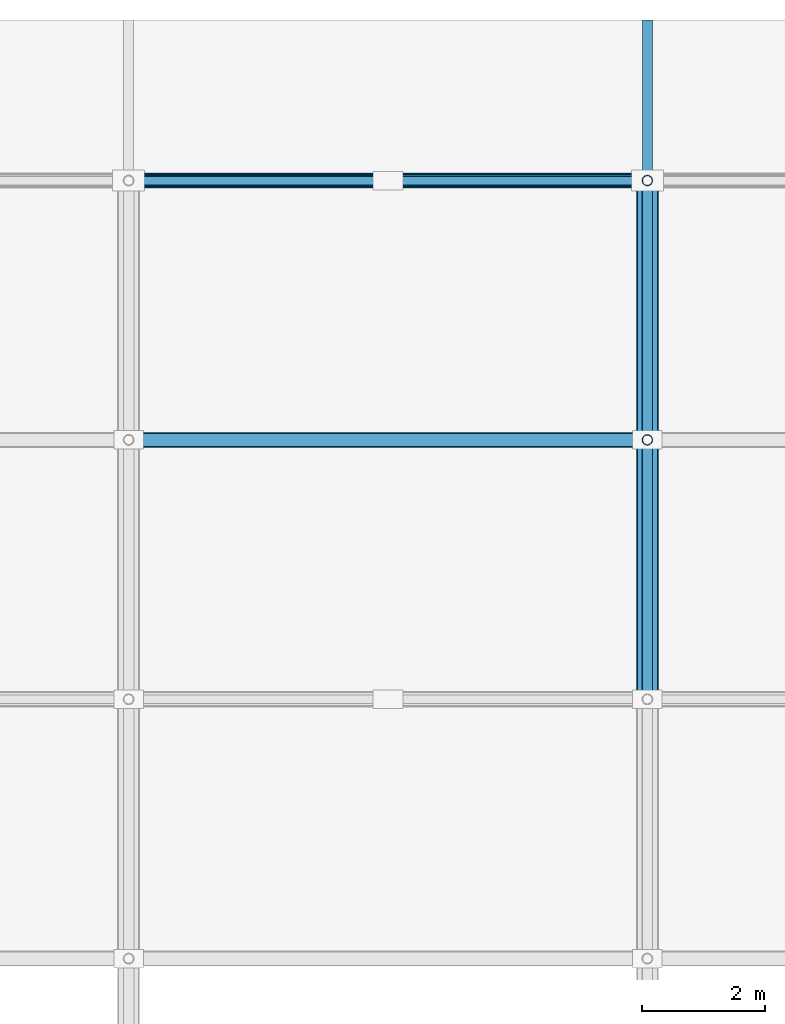
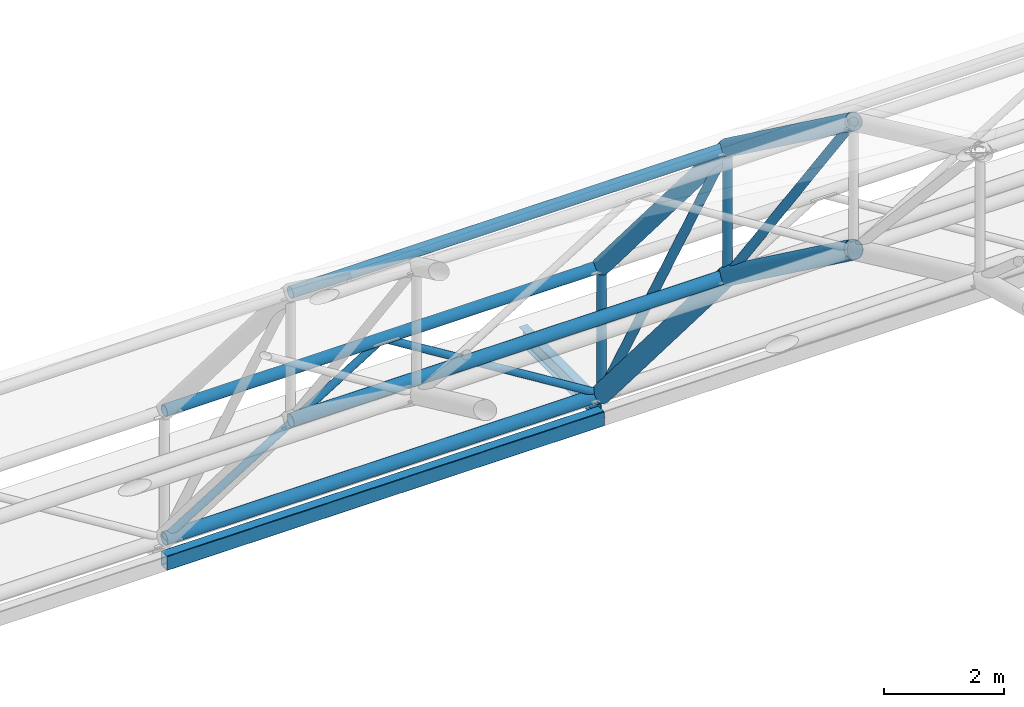
# One storey, part 50 of 103: 10 members, 6 beams.
"""IFC4 building model written with IfcOpenShell, lengths in metres."""

from ifc_helpers import new_model, si_unit, direction, frame, origin, origin_2d, place, context, subcontext, project, spatial, hollow_rectangle, hollow_circle, i_section, extrude, material, material_profile, profile_set, type_object, element, save


model = new_model("IFC4")

# Units and contexts
model_context = context("Model", 3, precision=1e-05, world=origin(), true_north=direction((0.0, 1.0)))
body_context = subcontext(model_context, "Body", "Model", "MODEL_VIEW")
ifc_project = project(units=[si_unit("LENGTHUNIT", "METRE"), si_unit("AREAUNIT", "SQUARE_METRE"), si_unit("VOLUMEUNIT", "CUBIC_METRE"), si_unit("PLANEANGLEUNIT", "RADIAN"), si_unit("MASSUNIT", "GRAM", prefix="KILO")], contexts=[model_context])

# Site, building, storey
site_placement = place(None, origin())
site = spatial("IfcSite", under=ifc_project, at=site_placement, CompositionType="ELEMENT")
building_placement = place(site_placement, origin())
building = spatial("IfcBuilding", under=site, at=building_placement, Name="Varnapada Polytechnic", CompositionType="ELEMENT")
storey_placement = place(building_placement, frame((0.0, 0.0, 18.0)))
storey = spatial("IfcBuildingStorey", under=building, at=storey_placement, Name="L04", CompositionType="ELEMENT", Elevation=18.0)

# Beam
ifc_material = material(Name="Steel S355", Category="steel")
ifc_material_profile_1 = material_profile(ifc_material, i_section(OverallWidth=0.159912109375, OverallDepth=0.330078125, WebThickness=0.007568359375, FlangeThickness=0.011474609375, FilletRadius=0.01806640625, at=origin_2d()), Name="IPE 330")
ifc_profile_set_1 = profile_set([ifc_material_profile_1], Name="Steel S355")
beam_type_1 = type_object("IfcBeamType", Name="Clerestory monitor steel rafter SB-07 (IPE 330)", PredefinedType="BEAM", material=ifc_profile_set_1)
beam_1_placement = place(storey_placement, frame((117.60009765625, 126.0, -0.35009765625), z_axis=(0.0, 1.0, 0.0), x_axis=(-1.0, 0.0, 0.0)))
element("IfcBeam", 1, at=beam_1_placement, inside=storey, type_object=beam_type_1, Name="Workshop eave shade outlooker N.9", PredefinedType="BEAM", context=body_context, shape_type="SweptSolid", body=[
    extrude(i_section(OverallWidth=0.159912109375, OverallDepth=0.330078125, WebThickness=0.007568359375, FlangeThickness=0.011474609375, FilletRadius=0.01806640625, at=origin_2d()), origin(), (0.0, 0.0, 1.0), 2.60009765625),
])

# Members
ifc_material_profile_2 = material_profile(ifc_material, hollow_circle(Radius=0.122314453125, WallThickness=0.008056640625, at=origin_2d()), Name="CHS 244.5x8.0")
ifc_profile_set_2 = profile_set([ifc_material_profile_2], Name="Steel S355")
member_type_1 = type_object("IfcMemberType", Name="Vaulted space frame longitudinal bottom chord SFC-01 (CHS 244.5x8.0)", PredefinedType="CHORD", material=ifc_profile_set_2)
for number, where, z_axis, x_axis, name in (
    (2, (109.199951171875, 121.800048828125, 4.94921875), (1.0, 0.0, 0.0), (0.0, 1.0, 0.0), "Vaulted space frame longitudinal bottom chord 8.10"),
    (3, (109.199951171875, 126.0, 0.0), (1.0, 0.0, 0.0), (0.0, 1.0, 0.0), "Vaulted space frame longitudinal bottom chord 8.11"),
):
    element("IfcMember", number, at=place(storey_placement, frame(where, z_axis=z_axis, x_axis=x_axis)), inside=storey, type_object=member_type_1, Name=name, PredefinedType="CHORD", context=body_context, shape_type="SweptSolid", body=[
        extrude(hollow_circle(Radius=0.122314453125, WallThickness=0.008056640625, at=origin_2d()), origin(), (0.0, 0.0, 1.0), 8.400146484375),
    ])
ifc_material_profile_3 = material_profile(ifc_material, hollow_circle(Radius=0.109619140625, WallThickness=0.008056640625, at=origin_2d()), Name="CHS 219.1x8.0")
ifc_profile_set_3 = profile_set([ifc_material_profile_3], Name="Steel S355")
member_type_2 = type_object("IfcMemberType", Name="Vaulted space frame longitudinal top chord SFC-02 (CHS 219.1x8.0)", PredefinedType="CHORD", material=ifc_profile_set_3)
for number, where, z_axis, x_axis, name in (
    (4, (109.199951171875, 121.800048828125, 7.549072265625), (1.0, 0.0, 0.0), (0.0, 1.0, 0.0), "Vaulted space frame longitudinal top chord 8.10"),
    (5, (109.199951171875, 126.0, 2.60009765625), (1.0, 0.0, 0.0), (0.0, 1.0, 0.0), "Vaulted space frame longitudinal top chord 8.11"),
):
    element("IfcMember", number, at=place(storey_placement, frame(where, z_axis=z_axis, x_axis=x_axis)), inside=storey, type_object=member_type_2, Name=name, PredefinedType="CHORD", context=body_context, shape_type="SweptSolid", body=[
        extrude(hollow_circle(Radius=0.109619140625, WallThickness=0.008056640625, at=origin_2d()), origin(), (0.0, 0.0, 1.0), 8.400146484375),
    ])

# Beams
ifc_material_profile_4 = material_profile(ifc_material, hollow_circle(Radius=0.177734375, WallThickness=0.012451171875, at=origin_2d()), Name="CHS 355.6x12.5")
ifc_profile_set_4 = profile_set([ifc_material_profile_4], Name="Steel S355")
beam_type_2 = type_object("IfcBeamType", Name="Vaulted space frame primary arch rib VA-01 (CHS 355.6x12.5)", PredefinedType="BEAM", material=ifc_profile_set_4)
beam_2_placement = place(storey_placement, frame((117.60009765625, 117.60009765625, 8.02783203125), z_axis=(0.0, 0.806528689778, -0.591194953095), x_axis=(-1.0, 0.0, 0.0)))
element("IfcBeam", 6, at=beam_2_placement, inside=storey, type_object=beam_type_2, Name="Vaulted space frame bottom arch chord 9.9", PredefinedType="BEAM", context=body_context, shape_type="SweptSolid", body=[
    extrude(hollow_circle(Radius=0.177734375, WallThickness=0.012451171875, at=origin_2d()), origin(), (0.0, 0.0, 1.0), 5.20751953125),
])
beam_3_placement = place(storey_placement, frame((117.60009765625, 121.800048828125, 4.94921875), z_axis=(0.0, 0.647032448214, -0.762462465279), x_axis=(-1.0, 0.0, 0.0)))
element("IfcBeam", 7, at=beam_3_placement, inside=storey, type_object=beam_type_2, Name="Vaulted space frame bottom arch chord 9.10", PredefinedType="BEAM", context=body_context, shape_type="SweptSolid", body=[
    extrude(hollow_circle(Radius=0.177734375, WallThickness=0.012451171875, at=origin_2d()), origin(), (0.0, 0.0, 1.0), 6.4912109375),
])

# Members
ifc_material_profile_5 = material_profile(ifc_material, hollow_circle(Radius=0.084228515625, WallThickness=0.00634765625, at=origin_2d()), Name="CHS 168.3x6.3")
ifc_profile_set_5 = profile_set([ifc_material_profile_5], Name="Steel S355")
member_type_3 = type_object("IfcMemberType", Name="Vaulted space frame primary web diagonal SFB-01 (CHS 168.3x6.3)", PredefinedType="BRACE", material=ifc_profile_set_5)
member_1_placement = place(storey_placement, frame((117.60009765625, 117.60009765625, 10.6279296875), z_axis=(0.0, 0.594633036041, -0.803997234105), x_axis=(-1.0, 0.0, 0.0)))
element("IfcMember", 8, at=member_1_placement, inside=storey, type_object=member_type_3, Name="Vaulted space frame web diagonal 9.9", PredefinedType="BRACE", context=body_context, shape_type="SweptSolid", body=[
    extrude(hollow_circle(Radius=0.084228515625, WallThickness=0.00634765625, at=origin_2d()), origin(), (0.0, 0.0, 1.0), 7.06298828125),
])
member_2_placement = place(storey_placement, frame((117.60009765625, 121.800048828125, 7.549072265625), z_axis=(0.0, 0.486175535898, -0.873861172209), x_axis=(-1.0, 0.0, 0.0)))
element("IfcMember", 9, at=member_2_placement, inside=storey, type_object=member_type_3, Name="Vaulted space frame web diagonal 9.10", PredefinedType="BRACE", context=body_context, shape_type="SweptSolid", body=[
    extrude(hollow_circle(Radius=0.084228515625, WallThickness=0.00634765625, at=origin_2d()), origin(), (0.0, 0.0, 1.0), 8.638671875),
])
ifc_material_profile_6 = material_profile(ifc_material, hollow_circle(Radius=0.084228515625, WallThickness=0.00634765625, at=origin_2d()), Name="CHS 168.3x6.3")
ifc_profile_set_6 = profile_set([ifc_material_profile_6], Name="Steel S355")
member_type_4 = type_object("IfcMemberType", Name="Vaulted space frame radial web strut SFS-01 (CHS 168.3x6.3)", PredefinedType="STRUT", material=ifc_profile_set_6)
member_3_placement = place(storey_placement, frame((117.60009765625, 121.800048828125, 4.94921875), z_axis=(0.0, 0.0, 1.0), x_axis=(1.0, 0.0, 0.0)))
element("IfcMember", 10, at=member_3_placement, inside=storey, type_object=member_type_4, Name="Vaulted space frame strut 9.10", PredefinedType="STRUT", context=body_context, shape_type="SweptSolid", body=[
    extrude(hollow_circle(Radius=0.084228515625, WallThickness=0.00634765625, at=origin_2d()), origin(), (0.0, 0.0, 1.0), 2.599853515625),
])
member_4_placement = place(storey_placement, frame((117.60009765625, 126.0, 0.0), z_axis=(0.0, 0.0, 1.0), x_axis=(1.0, 0.0, 0.0)))
element("IfcMember", 11, at=member_4_placement, inside=storey, type_object=member_type_4, Name="Vaulted space frame strut 9.11", PredefinedType="STRUT", context=body_context, shape_type="SweptSolid", body=[
    extrude(hollow_circle(Radius=0.084228515625, WallThickness=0.00634765625, at=origin_2d()), origin(), (0.0, 0.0, 1.0), 2.60009765625),
])
ifc_material_profile_7 = material_profile(ifc_material, hollow_circle(Radius=0.06982421875, WallThickness=0.0048828125, at=origin_2d()), Name="CHS 139.7x5.0")
ifc_profile_set_7 = profile_set([ifc_material_profile_7], Name="Steel S355")
member_type_5 = type_object("IfcMemberType", Name="Vaulted space frame secondary web diagonal SFB-02 (CHS 139.7x5.0)", PredefinedType="BRACE", material=ifc_profile_set_7)
member_5_placement = place(storey_placement, frame((109.199951171875, 126.0, 0.0), z_axis=(0.85025356003, 0.0, 0.526373331065), x_axis=(0.0, 1.0, 0.0)))
element("IfcMember", 12, at=member_5_placement, inside=storey, type_object=member_type_5, Name="Vaulted space frame longitudinal brace 8.11A", PredefinedType="BRACE", context=body_context, shape_type="SweptSolid", body=[
    extrude(hollow_circle(Radius=0.06982421875, WallThickness=0.0048828125, at=origin_2d()), origin(), (0.0, 0.0, 1.0), 4.939697265625),
])
member_6_placement = place(storey_placement, frame((117.60009765625, 126.0, 0.0), z_axis=(-0.85026725322, 0.0, 0.526351211741), x_axis=(0.0, -1.0, 0.0)))
element("IfcMember", 13, at=member_6_placement, inside=storey, type_object=member_type_5, Name="Vaulted space frame longitudinal brace 8.11B", PredefinedType="BRACE", context=body_context, shape_type="SweptSolid", body=[
    extrude(hollow_circle(Radius=0.06982421875, WallThickness=0.0048828125, at=origin_2d()), origin(), (0.0, 0.0, 1.0), 4.93994140625),
])

# Beams
ifc_material_profile_8 = material_profile(ifc_material, hollow_circle(Radius=0.161865234375, WallThickness=0.010009765625, at=origin_2d()), Name="CHS 323.9x10.0")
ifc_profile_set_8 = profile_set([ifc_material_profile_8], Name="Steel S355")
beam_type_3 = type_object("IfcBeamType", Name="Vaulted space frame upper arch rib VA-02 (CHS 323.9x10.0)", PredefinedType="BEAM", material=ifc_profile_set_8)
beam_4_placement = place(storey_placement, frame((117.60009765625, 117.60009765625, 10.6279296875), z_axis=(0.0, 0.806506335259, -0.591225448698), x_axis=(-1.0, 0.0, 0.0)))
element("IfcBeam", 14, at=beam_4_placement, inside=storey, type_object=beam_type_3, Name="Vaulted space frame top arch chord 9.9", PredefinedType="BEAM", context=body_context, shape_type="SweptSolid", body=[
    extrude(hollow_circle(Radius=0.161865234375, WallThickness=0.010009765625, at=origin_2d()), origin(), (0.0, 0.0, 1.0), 5.20751953125),
])
beam_5_placement = place(storey_placement, frame((117.60009765625, 121.800048828125, 7.549072265625), z_axis=(0.0, 0.647051003787, -0.762446718465), x_axis=(-1.0, 0.0, 0.0)))
element("IfcBeam", 15, at=beam_5_placement, inside=storey, type_object=beam_type_3, Name="Vaulted space frame top arch chord 9.10", PredefinedType="BEAM", context=body_context, shape_type="SweptSolid", body=[
    extrude(hollow_circle(Radius=0.161865234375, WallThickness=0.010009765625, at=origin_2d()), origin(), (0.0, 0.0, 1.0), 6.490966796875),
])
ifc_material_profile_9 = material_profile(ifc_material, hollow_rectangle(XDim=0.199951171875, YDim=0.300048828125, WallThickness=0.010009765625, InnerFilletRadius=0.010009765625, OuterFilletRadius=0.02001953125, at=origin_2d()), Name="RHS 300x200x10")
ifc_profile_set_9 = profile_set([ifc_material_profile_9], Name="Steel S355")
beam_type_4 = type_object("IfcBeamType", Name="Workshop steel spandrel tie SP-03 (RHS 300x200x10)", PredefinedType="SPANDREL", material=ifc_profile_set_9)
beam_6_placement = place(storey_placement, frame((109.199951171875, 126.0, -0.449951171875), z_axis=(1.0, 0.0, 0.0), x_axis=(0.0, 1.0, 0.0)))
element("IfcBeam", 16, at=beam_6_placement, inside=storey, type_object=beam_type_4, Name="L04 workshop clerestory tie X14-15 Y16", PredefinedType="SPANDREL", context=body_context, shape_type="SweptSolid", body=[
    extrude(hollow_rectangle(XDim=0.199951171875, YDim=0.300048828125, WallThickness=0.010009765625, InnerFilletRadius=0.010009765625, OuterFilletRadius=0.02001953125, at=origin_2d()), origin(), (0.0, 0.0, 1.0), 8.400146484375),
])

save(model, "model.ifc")
